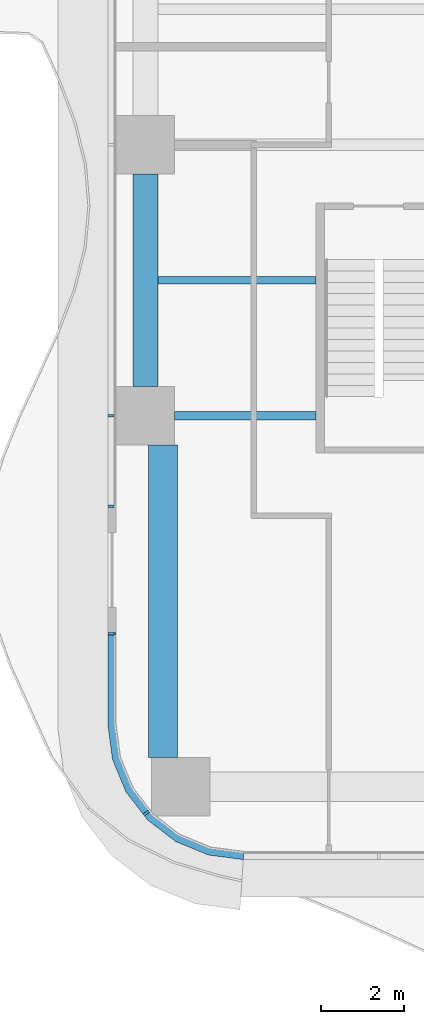
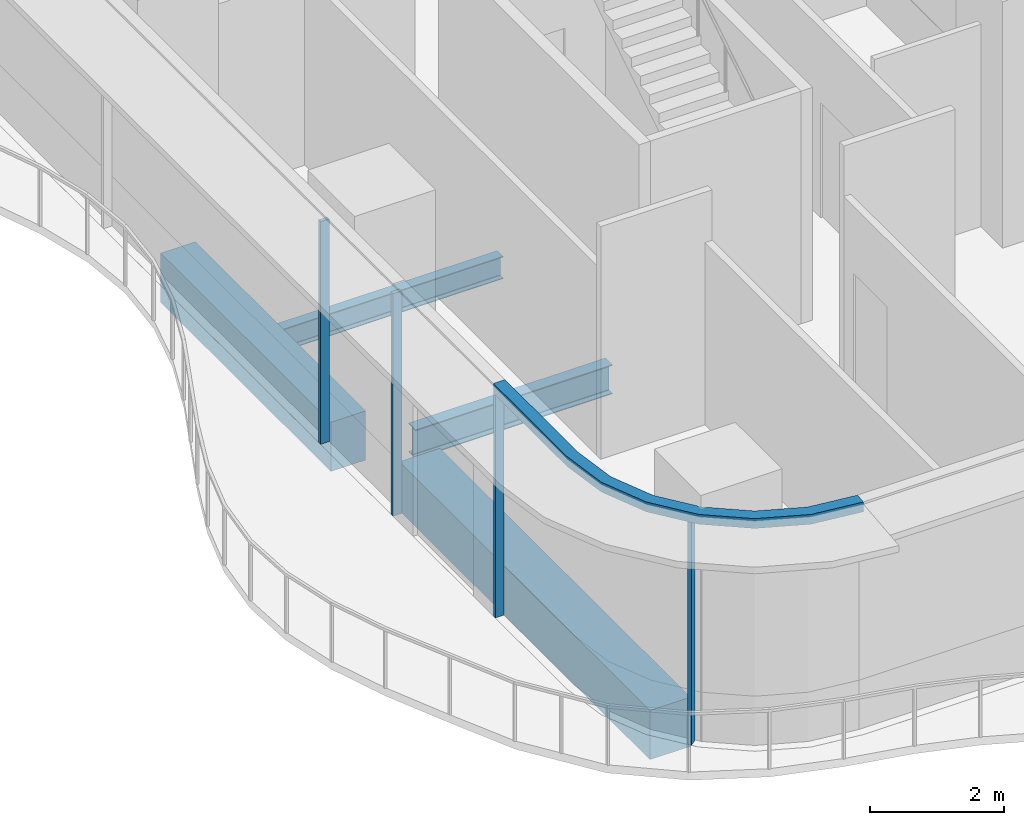
# One storey, part 2 of 22: 5 members, 4 beams, 2 elements without a shape of their own.
"""IFC4 building model written with IfcOpenShell, lengths in metres."""

from ifc_helpers import new_model, si_unit, direction, frame, origin, origin_2d, place, context, subcontext, project, spatial, polyline, rectangle, i_section, outline, extrude, source, transform, mapped, material, layer, layer_set, material_profile, profile_set, type_object, element, aggregate, save


model = new_model("IFC4")

# Units and contexts
model_context = context("Model", 3, precision=1e-05, world=origin(), true_north=direction((0.0, 1.0)))
body_context = subcontext(model_context, "Body", "Model", "MODEL_VIEW")
ifc_project = project(units=[si_unit("LENGTHUNIT", "METRE"), si_unit("AREAUNIT", "SQUARE_METRE"), si_unit("VOLUMEUNIT", "CUBIC_METRE"), si_unit("PLANEANGLEUNIT", "RADIAN"), si_unit("MASSUNIT", "GRAM", prefix="KILO")], contexts=[model_context])

# Site, building, storey
site_placement = place(None, origin())
site = spatial("IfcSite", under=ifc_project, at=site_placement, CompositionType="ELEMENT")
building_placement = place(site_placement, origin())
building = spatial("IfcBuilding", under=site, at=building_placement, Name="Trellis Farm Tower", CompositionType="ELEMENT")
storey_placement = place(building_placement, frame((0.0, 0.0, 52.0)))
storey = spatial("IfcBuildingStorey", under=building, at=storey_placement, Name="L10", CompositionType="ELEMENT", Elevation=52.0)

# Beams
ifc_material_1 = material(Name="Steel S355", Category="steel")
ifc_material_profile_1 = material_profile(ifc_material_1, i_section(OverallWidth=0.209228515625, OverallDepth=0.533203125, WebThickness=0.010009765625, FlangeThickness=0.015625, FilletRadius=0.0126953125, at=origin_2d()), Name="UB 533x210x92")
ifc_profile_set_1 = profile_set([ifc_material_profile_1], Name="Steel S355")
beam_type_1 = type_object("IfcBeamType", Name="UB 533x210x92", PredefinedType="BEAM", material=ifc_profile_set_1)
shared_shape_1 = source(origin(), body_context, "Body", "SweptSolid", [
    extrude(i_section(OverallWidth=0.209228515625, OverallDepth=0.533203125, WebThickness=0.010009765625, FlangeThickness=0.015625, FilletRadius=0.0126953125, at=origin_2d()), origin(), (0.0, 0.0, 1.0), 3.39990234375),
])
beam_1_placement = place(storey_placement, frame((-4.89990234375, -18.60009765625, -0.5166015625), z_axis=(1.0, 0.0, 0.0), x_axis=(0.0, 1.0, 0.0)))
element("IfcBeam", 1, at=beam_1_placement, inside=storey, type_object=beam_type_1, Name="Girder", PredefinedType="BEAM", context=body_context, shape_type="MappedRepresentation", body=[
    mapped(shared_shape_1, transform((0.0, 0.0, 0.0))),
])
ifc_material_2 = material(Name="Concrete C60/75", Category="concrete")
ifc_material_profile_2 = material_profile(ifc_material_2, rectangle(XDim=0.60009765625, YDim=0.89990234375, at=origin_2d()), Name="RC spandrel beam 600x900 C60/75")
ifc_profile_set_2 = profile_set([ifc_material_profile_2], Name="Concrete C60/75")
beam_type_2 = type_object("IfcBeamType", Name="RC spandrel beam 600x900 C60/75", PredefinedType="SPANDREL", material=ifc_profile_set_2)
shared_shape_2 = source(origin(), body_context, "Body", "SweptSolid", [
    extrude(rectangle(XDim=0.60009765625, YDim=0.89990234375, at=origin_2d()), origin(), (0.0, 0.0, 1.0), 5.099853515625),
])
beam_2_placement = place(storey_placement, frame((-5.60009765625, -17.89990234375, -0.699951171875), z_axis=(0.0, 1.0, 0.0), x_axis=(-1.0, 0.0, 0.0)))
element("IfcBeam", 2, at=beam_2_placement, inside=storey, type_object=beam_type_2, Name="Girder", PredefinedType="SPANDREL", context=body_context, shape_type="MappedRepresentation", body=[
    mapped(shared_shape_2, transform((0.0, 0.0, 0.0))),
])
ifc_material_profile_3 = material_profile(ifc_material_2, rectangle(XDim=0.699951171875, YDim=0.89990234375, at=origin_2d()), Name="RC spandrel beam 700x900 C60/75")
ifc_profile_set_3 = profile_set([ifc_material_profile_3], Name="Concrete C60/75")
beam_type_3 = type_object("IfcBeamType", Name="RC spandrel beam 700x900 C60/75", PredefinedType="SPANDREL", material=ifc_profile_set_3)
shared_shape_3 = source(origin(), body_context, "Body", "SweptSolid", [
    extrude(rectangle(XDim=0.699951171875, YDim=0.89990234375, at=origin_2d()), origin(), (0.0, 0.0, 1.0), 7.5),
])
beam_3_placement = place(storey_placement, frame((-5.175048828125, -26.800048828125, -0.699951171875), z_axis=(0.0, 1.0, 0.0), x_axis=(-1.0, 0.0, 0.0)))
element("IfcBeam", 3, at=beam_3_placement, inside=storey, type_object=beam_type_3, Name="Girder", PredefinedType="SPANDREL", context=body_context, shape_type="MappedRepresentation", body=[
    mapped(shared_shape_3, transform((0.0, 0.0, 0.0))),
])
ifc_material_profile_4 = material_profile(ifc_material_1, i_section(OverallWidth=0.177978515625, OverallDepth=0.406494140625, WebThickness=0.0078125, FlangeThickness=0.0126953125, FilletRadius=0.01025390625, at=origin_2d()), Name="UB 406x178x60")
ifc_profile_set_4 = profile_set([ifc_material_profile_4], Name="Steel S355")
beam_type_4 = type_object("IfcBeamType", Name="UB 406x178x60 joist", PredefinedType="JOIST", material=ifc_profile_set_4)
shared_shape_4 = source(origin(), body_context, "Body", "SweptSolid", [
    extrude(i_section(OverallWidth=0.177978515625, OverallDepth=0.406494140625, WebThickness=0.0078125, FlangeThickness=0.0126953125, FilletRadius=0.01025390625, at=origin_2d()), origin(), (0.0, 0.0, 1.0), 3.800048828125),
])
beam_4_placement = place(storey_placement, frame((-5.300048828125, -15.35009765625, -0.453125), z_axis=(1.0, 0.0, 0.0), x_axis=(0.0, 1.0, 0.0)))
element("IfcBeam", 4, at=beam_4_placement, inside=storey, type_object=beam_type_4, Name="Floor beam", PredefinedType="JOIST", context=body_context, shape_type="MappedRepresentation", body=[
    mapped(shared_shape_4, transform((0.0, 0.0, 0.0))),
])

# Curtain wall, members
ifc_material_3 = material(Name="Aluminium and glass curtain wall", Category="aluminium")
ifc_layer_1 = layer(ifc_material_3, 0.18994140625)
ifc_layer_set_1 = layer_set([ifc_layer_1], Name="RIBBON CURTAIN WALL CW1")
curtain_wall_type = type_object("IfcCurtainWallType", Name="RIBBON CURTAIN WALL CW1", PredefinedType="NOTDEFINED", material=ifc_layer_set_1)
placement = place(storey_placement, origin())
curtain_wall_1 = element("IfcCurtainWall", 5, at=placement, inside=storey, type_object=curtain_wall_type, Name="CW1 002", PredefinedType="NOTDEFINED")
ifc_material_4 = material(Name="Aluminium extrusion 6063-T6", Category="aluminium")
ifc_material_profile_5 = material_profile(ifc_material_4, rectangle(XDim=0.06005859375, YDim=0.14990234375, at=origin_2d()), Name="MULLION 60x150")
ifc_profile_set_5 = profile_set([ifc_material_profile_5], Name="Aluminium extrusion 6063-T6")
member_type_1 = type_object("IfcMemberType", Name="CW1 MULLION 60x150", PredefinedType="MULLION", material=ifc_profile_set_5)
shared_shape_5 = source(origin(), body_context, "Body", "SweptSolid", [
    extrude(rectangle(XDim=0.06005859375, YDim=0.14990234375, at=origin_2d()), origin(), (0.0, 0.0, 1.0), 4.070068359375),
])
member_1_placement = place(storey_placement, frame((-6.425048828125, -18.60009765625, 0.0), z_axis=(0.0, 0.0, 1.0), x_axis=(0.0, -1.0, 0.0)))
member_1 = element("IfcMember", 6, at=member_1_placement, type_object=member_type_1, Name="MU1 002-02", PredefinedType="MULLION", context=body_context, shape_type="MappedRepresentation", body=[
    mapped(shared_shape_5, transform((0.0, 0.0, 0.0))),
])
member_2_placement = place(storey_placement, frame((-6.425048828125, -20.77001953125, 0.0), z_axis=(0.0, 0.0, 1.0), x_axis=(0.0, -1.0, 0.0)))
member_2 = element("IfcMember", 7, at=member_2_placement, type_object=member_type_1, Name="MU1 002-03", PredefinedType="MULLION", context=body_context, shape_type="MappedRepresentation", body=[
    mapped(shared_shape_5, transform((0.0, 0.0, 0.0))),
])
aggregate(curtain_wall_1, [member_1, member_2])

curtain_wall_2 = element("IfcCurtainWall", 8, at=placement, inside=storey, type_object=curtain_wall_type, Name="CW1 003", PredefinedType="NOTDEFINED")
member_3_placement = place(storey_placement, frame((-6.425048828125, -23.830078125, 0.0), z_axis=(0.0, 0.0, 1.0), x_axis=(0.0, -1.0, 0.0)))
member_3 = element("IfcMember", 9, at=member_3_placement, type_object=member_type_1, Name="MU1 003-01", PredefinedType="MULLION", context=body_context, shape_type="MappedRepresentation", body=[
    mapped(shared_shape_5, transform((0.0, 0.0, 0.0))),
])
member_4_placement = place(storey_placement, frame((-5.578369140625, -28.135498046875, 0.0), z_axis=(0.0, 0.0, 1.0), x_axis=(0.608761429009, -0.793353340291, 0.0)))
member_4 = element("IfcMember", 10, at=member_4_placement, type_object=member_type_1, Name="MU1 003-02", PredefinedType="MULLION", context=body_context, shape_type="MappedRepresentation", body=[
    mapped(shared_shape_5, transform((0.0, 0.0, 0.0))),
])
ifc_layer_2 = layer(ifc_material_4, 0.199951171875)
ifc_layer_set_2 = layer_set([ifc_layer_2], Name="Aluminium extrusion 6063-T6")
member_type_2 = type_object("IfcMemberType", Name="CW1 TRANSOM 200x180", PredefinedType="USERDEFINED", material=ifc_layer_set_2)
shared_shape_6 = source(origin(), body_context, "Body", "SweptSolid", [
    extrude(outline(polyline([(-6.5, -23.800048828125), (-6.5, -26.0), (-6.38916015625, -26.841064453125), (-6.064697265625, -27.625), (-5.548095703125, -28.298095703125), (-4.875, -28.814697265625), (-4.091064453125, -29.13916015625), (-3.25, -29.25), (-3.23681640625, -29.050048828125), (-4.0390625, -28.9443359375), (-4.774169921875, -28.639892578125), (-5.405517578125, -28.155517578125), (-5.889892578125, -27.524169921875), (-6.1943359375, -26.7890625), (-6.300048828125, -25.98681640625), (-6.300048828125, -23.800048828125), (-6.5, -23.800048828125)])), origin(), (0.0, 0.0, 1.0), 0.179931640625),
])
member_5_placement = place(storey_placement, frame((0.0, 0.0, 4.070068359375)))
member_5 = element("IfcMember", 11, at=member_5_placement, type_object=member_type_2, Name="TR1 003", ObjectType="TRANSOM", PredefinedType="USERDEFINED", context=body_context, shape_type="MappedRepresentation", body=[
    mapped(shared_shape_6, transform((0.0, 0.0, 0.0))),
])
aggregate(curtain_wall_2, [member_3, member_4, member_5])

save(model, "model.ifc")
